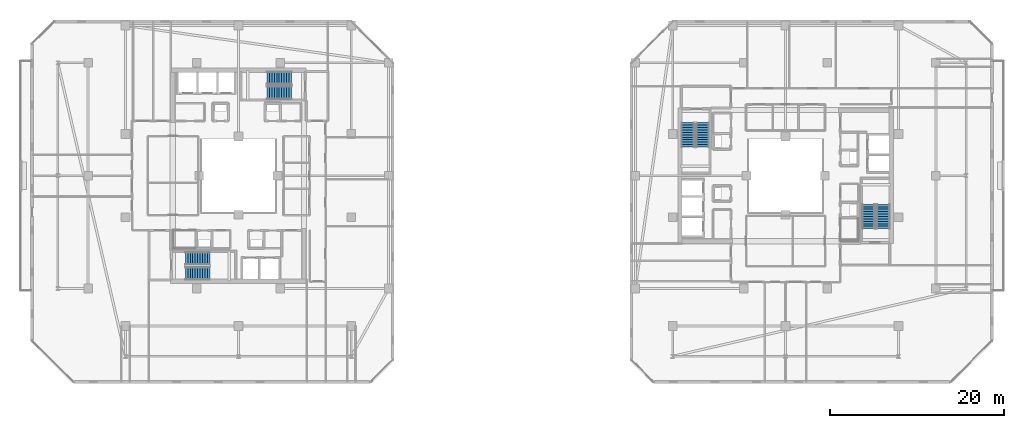
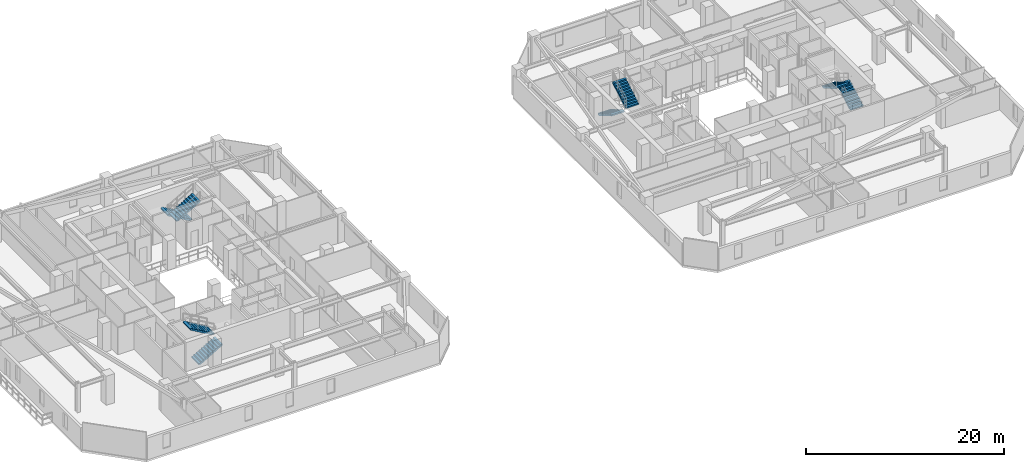
# One storey, part 26 of 32: 8 stair flights, 4 elements without a shape of their own.
"""IFC4 building model written with IfcOpenShell, lengths in metres."""

from ifc_helpers import new_model, si_unit, direction, frame, origin, place, context, subcontext, project, spatial, polyline, outline, extrude, material, type_object, element, aggregate, save


model = new_model("IFC4")

# Units and contexts
model_context = context("Model", 3, precision=1e-05, world=origin(), true_north=direction((0.0, 1.0)))
body_context = subcontext(model_context, "Body", "Model", "MODEL_VIEW")
ifc_project = project(units=[si_unit("LENGTHUNIT", "METRE"), si_unit("AREAUNIT", "SQUARE_METRE"), si_unit("VOLUMEUNIT", "CUBIC_METRE"), si_unit("PLANEANGLEUNIT", "RADIAN"), si_unit("MASSUNIT", "GRAM", prefix="KILO")], contexts=[model_context])

# Site, building, storey
site_placement = place(None, origin())
site = spatial("IfcSite", under=ifc_project, at=site_placement, CompositionType="ELEMENT")
building_placement = place(site_placement, origin())
building = spatial("IfcBuilding", under=site, at=building_placement, Name="Thornwick Lancets Civic Towers", CompositionType="ELEMENT")
storey_placement = place(building_placement, frame((0.0, 0.0, 247.5)))
storey = spatial("IfcBuildingStorey", under=building, at=storey_placement, Name="L66", CompositionType="ELEMENT", Elevation=247.5)

# Stair, stair flights
ifc_material = material(Name="Concrete C40/50", Category="concrete")
stair_type = type_object("IfcStairType", Name="STAIR_DL_3600", PredefinedType="HALF_TURN_STAIR", material=ifc_material)
stair_1_placement = place(storey_placement, origin())
stair_1 = element("IfcStair", 1, at=stair_1_placement, inside=storey, type_object=stair_type, Name="L66 Tower A South Exit Stair ST-A1", PredefinedType="HALF_TURN_STAIR")
stair_flight_type = type_object("IfcStairFlightType", Name="FLIGHT_3600", PredefinedType="STRAIGHT", material=ifc_material)
stair_flight_1_placement = place(storey_placement, frame((19.39990234375, 15.75, 0.0), z_axis=(0.0, 0.0, 1.0), x_axis=(1.0, 0.0, 0.0)))
stair_flight_1 = element("IfcStairFlight", 2, at=stair_flight_1_placement, type_object=stair_flight_type, Name="ST-A1 flight 1", NumberOfRisers=11, NumberOfTreads=10, PredefinedType="STRAIGHT", RiserHeight=0.163636364, TreadLength=0.28, context=body_context, shape_type="SweptSolid", body=[
    extrude(outline(polyline([(0.0, 0.0), (0.0, 0.16357421875), (0.280029296875, 0.16357421875), (0.280029296875, 0.327392578125), (0.56005859375, 0.327392578125), (0.56005859375, 0.490966796875), (0.840087890625, 0.490966796875), (0.840087890625, 0.654541015625), (1.1201171875, 0.654541015625), (1.1201171875, 0.818115234375), (1.39990234375, 0.818115234375), (1.39990234375, 0.98193359375), (1.679931640625, 0.98193359375), (1.679931640625, 1.1455078125), (1.9599609375, 1.1455078125), (1.9599609375, 1.30908203125), (2.239990234375, 1.30908203125), (2.239990234375, 1.47265625), (2.52001953125, 1.47265625), (2.52001953125, 1.636474609375), (2.800048828125, 1.636474609375), (2.800048828125, 1.800048828125), (2.800048828125, 1.462646484375), (0.297119140625, 0.0), (0.0, 0.0)])), frame((0.0, 0.75, 0.0), z_axis=(0.0, -1.0, 0.0), x_axis=(1.0, 0.0, 0.0)), (0.0, 0.0, 1.0), 1.5),
])
stair_flight_2_placement = place(storey_placement, frame((22.199951171875, 17.449951171875, 1.800048828125), z_axis=(0.0, 0.0, 1.0), x_axis=(-1.0, 0.0, 0.0)))
stair_flight_2 = element("IfcStairFlight", 3, at=stair_flight_2_placement, type_object=stair_flight_type, Name="ST-A1 flight 2", NumberOfRisers=11, NumberOfTreads=10, PredefinedType="STRAIGHT", RiserHeight=0.163636364, TreadLength=0.28, context=body_context, shape_type="SweptSolid", body=[
    extrude(outline(polyline([(0.0, 0.0), (0.0, 0.16357421875), (0.280029296875, 0.16357421875), (0.280029296875, 0.327392578125), (0.56005859375, 0.327392578125), (0.56005859375, 0.490966796875), (0.840087890625, 0.490966796875), (0.840087890625, 0.654541015625), (1.1201171875, 0.654541015625), (1.1201171875, 0.818115234375), (1.39990234375, 0.818115234375), (1.39990234375, 0.98193359375), (1.679931640625, 0.98193359375), (1.679931640625, 1.1455078125), (1.9599609375, 1.1455078125), (1.9599609375, 1.30908203125), (2.239990234375, 1.30908203125), (2.239990234375, 1.47265625), (2.52001953125, 1.47265625), (2.52001953125, 1.636474609375), (2.800048828125, 1.636474609375), (2.800048828125, 1.800048828125), (2.800048828125, 1.462646484375), (0.297119140625, 0.0), (0.0, 0.0)])), frame((0.0, 0.75, 0.0), z_axis=(0.0, -1.0, 0.0), x_axis=(1.0, 0.0, 0.0)), (0.0, 0.0, 1.0), 1.5),
])
aggregate(stair_1, [stair_flight_1, stair_flight_2])

stair_2_placement = place(storey_placement, origin())
stair_2 = element("IfcStair", 4, at=stair_2_placement, inside=storey, type_object=stair_type, Name="L66 Tower A North Exit Stair ST-A2", PredefinedType="HALF_TURN_STAIR")
stair_flight_3_placement = place(storey_placement, frame((31.60009765625, 38.25, 0.0), z_axis=(0.0, 0.0, 1.0), x_axis=(-1.0, 0.0, 0.0)))
stair_flight_3 = element("IfcStairFlight", 5, at=stair_flight_3_placement, type_object=stair_flight_type, Name="ST-A2 flight 1", NumberOfRisers=11, NumberOfTreads=10, PredefinedType="STRAIGHT", RiserHeight=0.163636364, TreadLength=0.28, context=body_context, shape_type="SweptSolid", body=[
    extrude(outline(polyline([(0.0, 0.0), (0.0, 0.16357421875), (0.280029296875, 0.16357421875), (0.280029296875, 0.327392578125), (0.56005859375, 0.327392578125), (0.56005859375, 0.490966796875), (0.840087890625, 0.490966796875), (0.840087890625, 0.654541015625), (1.1201171875, 0.654541015625), (1.1201171875, 0.818115234375), (1.39990234375, 0.818115234375), (1.39990234375, 0.98193359375), (1.679931640625, 0.98193359375), (1.679931640625, 1.1455078125), (1.9599609375, 1.1455078125), (1.9599609375, 1.30908203125), (2.239990234375, 1.30908203125), (2.239990234375, 1.47265625), (2.52001953125, 1.47265625), (2.52001953125, 1.636474609375), (2.800048828125, 1.636474609375), (2.800048828125, 1.800048828125), (2.800048828125, 1.462646484375), (0.297119140625, 0.0), (0.0, 0.0)])), frame((0.0, 0.75, 0.0), z_axis=(0.0, -1.0, 0.0), x_axis=(1.0, 0.0, 0.0)), (0.0, 0.0, 1.0), 1.5),
])
stair_flight_4_placement = place(storey_placement, frame((28.800048828125, 36.550048828125, 1.800048828125), z_axis=(0.0, 0.0, 1.0), x_axis=(1.0, 0.0, 0.0)))
stair_flight_4 = element("IfcStairFlight", 6, at=stair_flight_4_placement, type_object=stair_flight_type, Name="ST-A2 flight 2", NumberOfRisers=11, NumberOfTreads=10, PredefinedType="STRAIGHT", RiserHeight=0.163636364, TreadLength=0.28, context=body_context, shape_type="SweptSolid", body=[
    extrude(outline(polyline([(0.0, 0.0), (0.0, 0.16357421875), (0.280029296875, 0.16357421875), (0.280029296875, 0.327392578125), (0.56005859375, 0.327392578125), (0.56005859375, 0.490966796875), (0.840087890625, 0.490966796875), (0.840087890625, 0.654541015625), (1.1201171875, 0.654541015625), (1.1201171875, 0.818115234375), (1.39990234375, 0.818115234375), (1.39990234375, 0.98193359375), (1.679931640625, 0.98193359375), (1.679931640625, 1.1455078125), (1.9599609375, 1.1455078125), (1.9599609375, 1.30908203125), (2.239990234375, 1.30908203125), (2.239990234375, 1.47265625), (2.52001953125, 1.47265625), (2.52001953125, 1.636474609375), (2.800048828125, 1.636474609375), (2.800048828125, 1.800048828125), (2.800048828125, 1.462646484375), (0.297119140625, 0.0), (0.0, 0.0)])), frame((0.0, 0.75, 0.0), z_axis=(0.0, -1.0, 0.0), x_axis=(1.0, 0.0, 0.0)), (0.0, 0.0, 1.0), 1.5),
])
aggregate(stair_2, [stair_flight_3, stair_flight_4])

stair_3_placement = place(storey_placement, origin())
stair_3 = element("IfcStair", 7, at=stair_3_placement, inside=storey, type_object=stair_type, Name="L66 Tower B East Exit Stair ST-B1", PredefinedType="HALF_TURN_STAIR")
stair_flight_5_placement = place(storey_placement, frame((99.75, 20.89990234375, 0.0), z_axis=(0.0, 0.0, 1.0), x_axis=(0.0, 1.0, 0.0)))
stair_flight_5 = element("IfcStairFlight", 8, at=stair_flight_5_placement, type_object=stair_flight_type, Name="ST-B1 flight 1", NumberOfRisers=11, NumberOfTreads=10, PredefinedType="STRAIGHT", RiserHeight=0.163636364, TreadLength=0.28, context=body_context, shape_type="SweptSolid", body=[
    extrude(outline(polyline([(0.0, 0.0), (0.0, 0.16357421875), (0.280029296875, 0.16357421875), (0.280029296875, 0.327392578125), (0.56005859375, 0.327392578125), (0.56005859375, 0.490966796875), (0.840087890625, 0.490966796875), (0.840087890625, 0.654541015625), (1.1201171875, 0.654541015625), (1.1201171875, 0.818115234375), (1.39990234375, 0.818115234375), (1.39990234375, 0.98193359375), (1.679931640625, 0.98193359375), (1.679931640625, 1.1455078125), (1.9599609375, 1.1455078125), (1.9599609375, 1.30908203125), (2.239990234375, 1.30908203125), (2.239990234375, 1.47265625), (2.52001953125, 1.47265625), (2.52001953125, 1.636474609375), (2.800048828125, 1.636474609375), (2.800048828125, 1.800048828125), (2.800048828125, 1.462646484375), (0.297119140625, 0.0), (0.0, 0.0)])), frame((0.0, 0.75, 0.0), z_axis=(0.0, -1.0, 0.0), x_axis=(1.0, 0.0, 0.0)), (0.0, 0.0, 1.0), 1.5),
])
stair_flight_6_placement = place(storey_placement, frame((98.050048828125, 23.699951171875, 1.800048828125), z_axis=(0.0, 0.0, 1.0), x_axis=(0.0, -1.0, 0.0)))
stair_flight_6 = element("IfcStairFlight", 9, at=stair_flight_6_placement, type_object=stair_flight_type, Name="ST-B1 flight 2", NumberOfRisers=11, NumberOfTreads=10, PredefinedType="STRAIGHT", RiserHeight=0.163636364, TreadLength=0.28, context=body_context, shape_type="SweptSolid", body=[
    extrude(outline(polyline([(0.0, 0.0), (0.0, 0.16357421875), (0.280029296875, 0.16357421875), (0.280029296875, 0.327392578125), (0.56005859375, 0.327392578125), (0.56005859375, 0.490966796875), (0.840087890625, 0.490966796875), (0.840087890625, 0.654541015625), (1.1201171875, 0.654541015625), (1.1201171875, 0.818115234375), (1.39990234375, 0.818115234375), (1.39990234375, 0.98193359375), (1.679931640625, 0.98193359375), (1.679931640625, 1.1455078125), (1.9599609375, 1.1455078125), (1.9599609375, 1.30908203125), (2.239990234375, 1.30908203125), (2.239990234375, 1.47265625), (2.52001953125, 1.47265625), (2.52001953125, 1.636474609375), (2.800048828125, 1.636474609375), (2.800048828125, 1.800048828125), (2.800048828125, 1.462646484375), (0.297119140625, 0.0), (0.0, 0.0)])), frame((0.0, 0.75, 0.0), z_axis=(0.0, -1.0, 0.0), x_axis=(1.0, 0.0, 0.0)), (0.0, 0.0, 1.0), 1.5),
])
aggregate(stair_3, [stair_flight_5, stair_flight_6])

stair_4_placement = place(storey_placement, origin())
stair_4 = element("IfcStair", 10, at=stair_4_placement, inside=storey, type_object=stair_type, Name="L66 Tower B West Exit Stair ST-B2", PredefinedType="HALF_TURN_STAIR")
stair_flight_7_placement = place(storey_placement, frame((77.25, 33.10009765625, 0.0), z_axis=(0.0, 0.0, 1.0), x_axis=(0.0, -1.0, 0.0)))
stair_flight_7 = element("IfcStairFlight", 11, at=stair_flight_7_placement, type_object=stair_flight_type, Name="ST-B2 flight 1", NumberOfRisers=11, NumberOfTreads=10, PredefinedType="STRAIGHT", RiserHeight=0.163636364, TreadLength=0.28, context=body_context, shape_type="SweptSolid", body=[
    extrude(outline(polyline([(0.0, 0.0), (0.0, 0.16357421875), (0.280029296875, 0.16357421875), (0.280029296875, 0.327392578125), (0.56005859375, 0.327392578125), (0.56005859375, 0.490966796875), (0.840087890625, 0.490966796875), (0.840087890625, 0.654541015625), (1.1201171875, 0.654541015625), (1.1201171875, 0.818115234375), (1.39990234375, 0.818115234375), (1.39990234375, 0.98193359375), (1.679931640625, 0.98193359375), (1.679931640625, 1.1455078125), (1.9599609375, 1.1455078125), (1.9599609375, 1.30908203125), (2.239990234375, 1.30908203125), (2.239990234375, 1.47265625), (2.52001953125, 1.47265625), (2.52001953125, 1.636474609375), (2.800048828125, 1.636474609375), (2.800048828125, 1.800048828125), (2.800048828125, 1.462646484375), (0.297119140625, 0.0), (0.0, 0.0)])), frame((0.0, 0.75, 0.0), z_axis=(0.0, -1.0, 0.0), x_axis=(1.0, 0.0, 0.0)), (0.0, 0.0, 1.0), 1.5),
])
stair_flight_8_placement = place(storey_placement, frame((78.949951171875, 30.300048828125, 1.800048828125), z_axis=(0.0, 0.0, 1.0), x_axis=(0.0, 1.0, 0.0)))
stair_flight_8 = element("IfcStairFlight", 12, at=stair_flight_8_placement, type_object=stair_flight_type, Name="ST-B2 flight 2", NumberOfRisers=11, NumberOfTreads=10, PredefinedType="STRAIGHT", RiserHeight=0.163636364, TreadLength=0.28, context=body_context, shape_type="SweptSolid", body=[
    extrude(outline(polyline([(0.0, 0.0), (0.0, 0.16357421875), (0.280029296875, 0.16357421875), (0.280029296875, 0.327392578125), (0.56005859375, 0.327392578125), (0.56005859375, 0.490966796875), (0.840087890625, 0.490966796875), (0.840087890625, 0.654541015625), (1.1201171875, 0.654541015625), (1.1201171875, 0.818115234375), (1.39990234375, 0.818115234375), (1.39990234375, 0.98193359375), (1.679931640625, 0.98193359375), (1.679931640625, 1.1455078125), (1.9599609375, 1.1455078125), (1.9599609375, 1.30908203125), (2.239990234375, 1.30908203125), (2.239990234375, 1.47265625), (2.52001953125, 1.47265625), (2.52001953125, 1.636474609375), (2.800048828125, 1.636474609375), (2.800048828125, 1.800048828125), (2.800048828125, 1.462646484375), (0.297119140625, 0.0), (0.0, 0.0)])), frame((0.0, 0.75, 0.0), z_axis=(0.0, -1.0, 0.0), x_axis=(1.0, 0.0, 0.0)), (0.0, 0.0, 1.0), 1.5),
])
aggregate(stair_4, [stair_flight_7, stair_flight_8])

save(model, "model.ifc")
